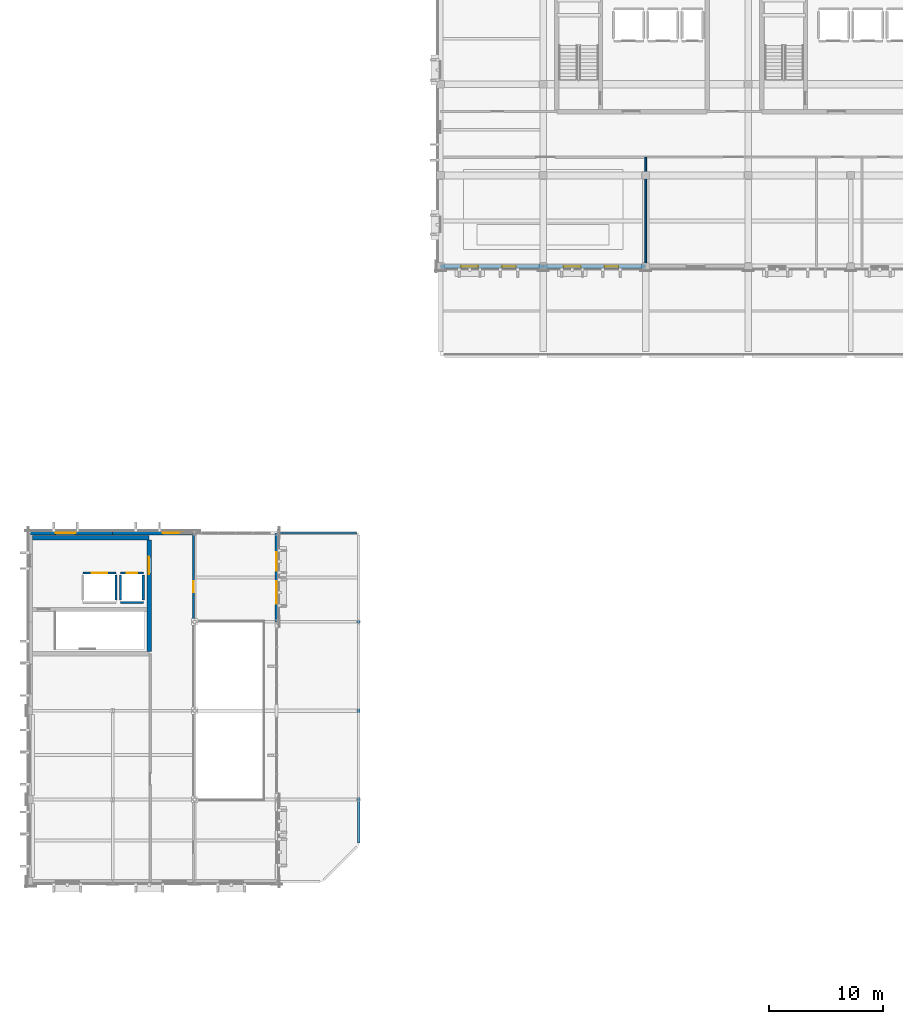
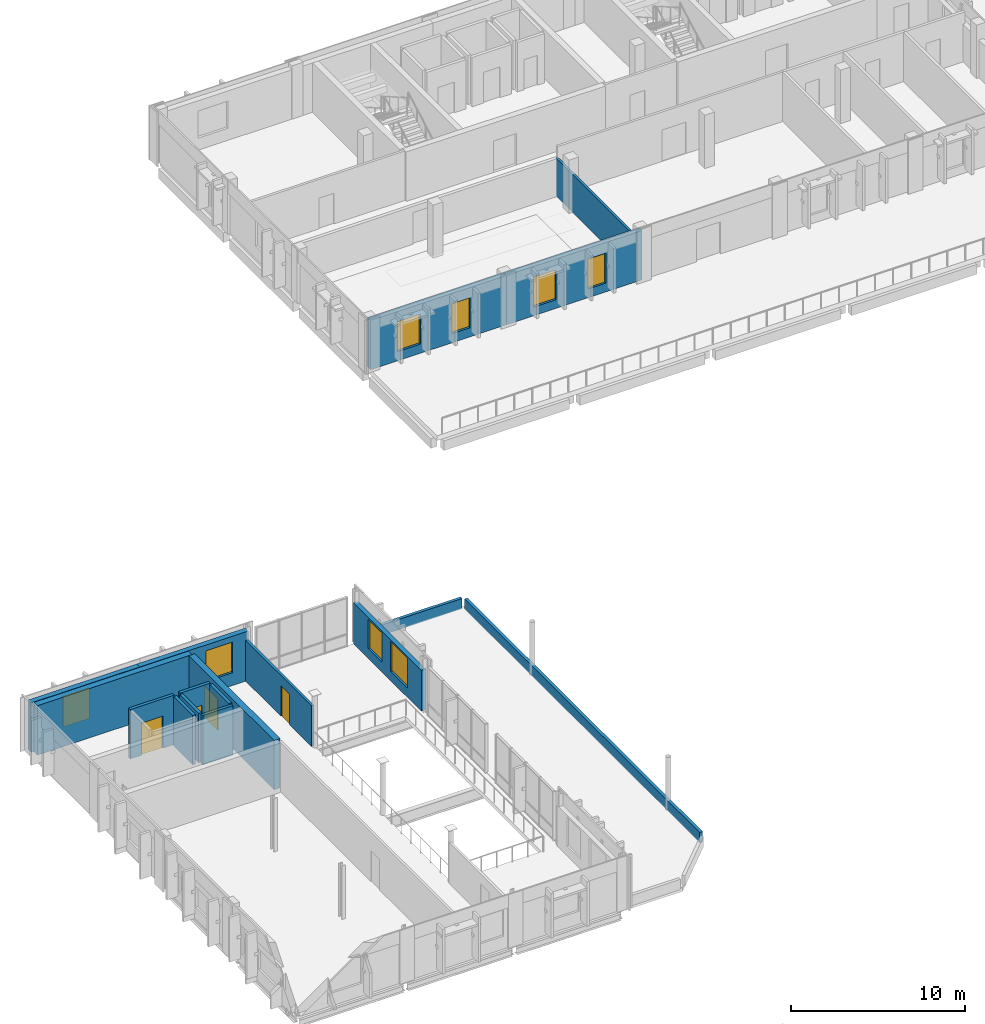
# One storey, part 11 of 23: 17 walls, 8 windows, 4 doors, 12 openings.
"""IFC4 building model written with IfcOpenShell, lengths in metres."""

import ifcopenshell
import ifcopenshell.guid

model = None  # the IFC model being written
_history = None  # IfcOwnerHistory: only IFC2X3 demands one
_inside = {}  # id of a spatial element -> (the spatial element, [elements in it])
_under = {}  # id of a project, library or spatial element -> (it, [spatial elements below it])
_declared = {}  # id of a project -> (the project, [libraries it declares])
_typed = {}  # id of a type object -> (the type object, [elements of that type])
_made_of = {}  # id of a material, layer set ... -> (it, [elements and type objects made of it])


def new_model(schema):
    """Start an empty IFC model of exactly this schema.

    Asked for "IFC4X3", IfcOpenShell would pick the latest addendum, in which some entities
    have other attributes; the version numbers below select the first issue.
    IFC2X3 requires an IfcOwnerHistory on every rooted entity: one is made here for all.
    """
    global model, _history
    if schema == "IFC4X3":
        model = ifcopenshell.file(schema_version=(4, 3, 0, 0))
    else:
        model = ifcopenshell.file(schema=schema)
    _inside.clear()
    _under.clear()
    _declared.clear()
    _typed.clear()
    _made_of.clear()
    _history = None
    if model.schema == "IFC2X3":
        org = make("IfcOrganization", Name="unknown")
        user = make(
            "IfcPersonAndOrganization",
            ThePerson=make("IfcPerson", FamilyName="unknown"),
            TheOrganization=org,
        )
        app = make(
            "IfcApplication",
            ApplicationDeveloper=org,
            Version="unknown",
            ApplicationFullName="unknown",
            ApplicationIdentifier="unknown",
        )
        _history = make(
            "IfcOwnerHistory",
            OwningUser=user,
            OwningApplication=app,
            ChangeAction="ADDED",
            CreationDate=0,
        )
    return model


def make(cls, **values):
    """One entity of the class cls with the attributes given. An attribute that is None is left unset."""
    return model.create_entity(
        cls, **{name: value for name, value in values.items() if value is not None}
    )


def rooted(cls, **values):
    """An entity with a GlobalId (a new one), such as an element, a storey or a relation."""
    return make(cls, GlobalId=ifcopenshell.guid.new(), OwnerHistory=_history, **values)


def si_unit(unit_type, name, prefix=None):
    """IfcSIUnit, for example si_unit("LENGTHUNIT", "METRE", prefix="MILLI")."""
    return make("IfcSIUnit", UnitType=unit_type, Prefix=prefix, Name=name)


def assignment(units):
    """IfcUnitAssignment: the units of a project."""
    return None if units is None else make("IfcUnitAssignment", Units=units)


def point(xyz):
    """IfcCartesianPoint."""
    return None if xyz is None else make("IfcCartesianPoint", Coordinates=xyz)


def direction(xyz):
    """IfcDirection."""
    return None if xyz is None else make("IfcDirection", DirectionRatios=xyz)


def frame(location, z_axis=None, x_axis=None):
    """IfcAxis2Placement3D, a coordinate frame: its origin and axes. An axis left out is left unset."""
    return make(
        "IfcAxis2Placement3D",
        Location=point(location),
        Axis=direction(z_axis),
        RefDirection=direction(x_axis),
    )


def frame_2d(location, x_axis=None):
    """IfcAxis2Placement2D, a coordinate frame in the plane: its origin and x axis."""
    return make(
        "IfcAxis2Placement2D", Location=point(location), RefDirection=direction(x_axis)
    )


def origin():
    """The frame at (0, 0, 0) with its axes left unset."""
    return frame((0.0, 0.0, 0.0))


def place(relative_to, where):
    """IfcLocalPlacement: puts the frame where relative to a parent placement (None: the world)."""
    return make(
        "IfcLocalPlacement", PlacementRelTo=relative_to, RelativePlacement=where
    )


def context(
    kind, dimensions, precision=None, world=None, true_north=None, identifier=None
):
    """IfcGeometricRepresentationContext, for example the 3D "Model" context."""
    return make(
        "IfcGeometricRepresentationContext",
        ContextIdentifier=identifier,
        ContextType=kind,
        CoordinateSpaceDimension=dimensions,
        Precision=precision,
        WorldCoordinateSystem=world,
        TrueNorth=true_north,
    )


def subcontext(parent, identifier, kind, view, scale=None):
    """IfcGeometricRepresentationSubContext, for example "Body" below "Model"."""
    return make(
        "IfcGeometricRepresentationSubContext",
        ContextIdentifier=identifier,
        ContextType=kind,
        ParentContext=parent,
        TargetScale=scale,
        TargetView=view,
    )


def project(units=None, contexts=None):
    """IfcProject with its units and contexts."""
    return rooted(
        "IfcProject",
        Name="project",
        RepresentationContexts=contexts,
        UnitsInContext=assignment(units),
    )


def spatial(cls, under=None, at=None, **own):
    """A site, building, storey or space (cls), placed at a placement, below another one or the project."""
    s = rooted(cls, ObjectPlacement=at, **own)
    if under is not None:
        _under.setdefault(under.id(), (under, []))[1].append(s)
    return s


def profile(cls, at=None, kind="AREA", **sizes):
    """A parametric profile (cls). Its sizes go by their IFC names, for example OverallWidth=200.0."""
    return make(cls, ProfileType=kind, Position=at, **sizes)


def rectangle(**sizes):
    """IfcRectangleProfileDef."""
    return profile("IfcRectangleProfileDef", **sizes)


def extrude(swept, where, along, depth):
    """IfcExtrudedAreaSolid: the profile swept, set in the frame where, extruded along a direction by depth."""
    return make(
        "IfcExtrudedAreaSolid",
        SweptArea=swept,
        Position=where,
        ExtrudedDirection=direction(along),
        Depth=depth,
    )


def shape(context_of_items, identifier, shape_type, items):
    """IfcShapeRepresentation: the items that make up one representation, for example the "Body"."""
    return make(
        "IfcShapeRepresentation",
        ContextOfItems=context_of_items,
        RepresentationIdentifier=identifier,
        RepresentationType=shape_type,
        Items=items,
    )


def material(Name=None, Category=None):
    """IfcMaterial."""
    return make("IfcMaterial", Name=Name, Category=Category)


def layer(
    of_material, thickness, ventilated=None, Name=None, Category=None, Priority=None
):
    """IfcMaterialLayer: one layer of a wall or slab, of a material (None: an air gap)."""
    return make(
        "IfcMaterialLayer",
        Material=of_material,
        LayerThickness=thickness,
        IsVentilated=ventilated,
        Name=Name,
        Category=Category,
        Priority=Priority,
    )


def layer_set(layers, Name=None):
    """IfcMaterialLayerSet."""
    return make("IfcMaterialLayerSet", MaterialLayers=layers, LayerSetName=Name)


def made_of(thing, what):
    """Note that an element or type object is made of a material, layer set ...; save() writes the relation."""
    if what is not None:
        _made_of.setdefault(what.id(), (what, []))[1].append(thing)
    return thing


def type_object(cls, material=None, **own):
    """A type object (cls), such as IfcWallType, which elements share."""
    return made_of(rooted(cls, **own), material)


def element(
    cls,
    number,
    at=None,
    inside=None,
    cuts=None,
    type_object=None,
    material=None,
    context=None,
    identifier="Body",
    shape_type=None,
    held_by="IfcProductDefinitionShape",
    body=None,
    shapes=None,
    **own,
):
    """One element of the class cls, such as IfcWall. Its Tag is "e" and its number.

    at: its placement. inside: the storey or other place that contains it. cuts: it is an
    opening in that element (IfcRelVoidsElement). A single representation is given by context,
    identifier, shape_type and body (its items); several are given by shapes. held_by: the class
    of the entity that holds the representations. save() writes the other relations.
    """
    e = rooted(cls, Tag="e%d" % number, ObjectPlacement=at, **own)
    if body is not None:
        shapes = [shape(context, identifier, shape_type, body)]
    if shapes is not None:
        e.Representation = make(held_by, Representations=shapes)
    if inside is not None:
        _inside.setdefault(inside.id(), (inside, []))[1].append(e)
    if cuts is not None:
        rooted(
            "IfcRelVoidsElement", RelatingBuildingElement=cuts, RelatedOpeningElement=e
        )
    if type_object is not None:
        _typed.setdefault(type_object.id(), (type_object, []))[1].append(e)
    return made_of(e, material)


def fill(opening, filler):
    """IfcRelFillsElement: the door or window that sits in an opening."""
    return rooted(
        "IfcRelFillsElement",
        RelatingOpeningElement=opening,
        RelatedBuildingElement=filler,
    )


def aggregate(whole, parts):
    """IfcRelAggregates: a whole, such as a stair, and the parts it consists of."""
    return rooted("IfcRelAggregates", RelatingObject=whole, RelatedObjects=parts)


def save(model, path):
    """Write the relations noted so far, then the file.

    IfcRelAggregates (storeys below a building ...), IfcRelContainedInSpatialStructure (elements
    in a storey), IfcRelDefinesByType, IfcRelAssociatesMaterial and IfcRelDeclares: one each for
    every whole, place, type object, material and project.
    """
    for whole, parts in _under.values():
        aggregate(whole, parts)
    for where, things in _inside.values():
        rooted(
            "IfcRelContainedInSpatialStructure",
            RelatedElements=things,
            RelatingStructure=where,
        )
    for kind, things in _typed.values():
        rooted("IfcRelDefinesByType", RelatedObjects=things, RelatingType=kind)
    for what, things in _made_of.values():
        rooted("IfcRelAssociatesMaterial", RelatedObjects=things, RelatingMaterial=what)
    for by, libraries in _declared.values():
        rooted("IfcRelDeclares", RelatingContext=by, RelatedDefinitions=libraries)
    model.write(path)


model = new_model("IFC4")

# Units and contexts
model_context = context("Model", 3, precision=1e-05, world=origin(), true_north=direction((0.0, 1.0)))
body_context = subcontext(model_context, "Body", "Model", "MODEL_VIEW")
ifc_project = project(units=[si_unit("LENGTHUNIT", "METRE"), si_unit("AREAUNIT", "SQUARE_METRE"), si_unit("VOLUMEUNIT", "CUBIC_METRE"), si_unit("PLANEANGLEUNIT", "RADIAN"), si_unit("MASSUNIT", "GRAM", prefix="KILO")], contexts=[model_context])

# Site, building, storey
site_placement = place(None, origin())
site = spatial("IfcSite", under=ifc_project, at=site_placement, CompositionType="ELEMENT")
building_placement = place(site_placement, origin())
building = spatial("IfcBuilding", under=site, at=building_placement, Name="Vervanel Yard Central Library", CompositionType="ELEMENT")
storey_placement = place(building_placement, frame((0.0, 0.0, 16.52001953125)))
storey = spatial("IfcBuildingStorey", under=building, at=storey_placement, Name="L04", CompositionType="ELEMENT", Elevation=16.52001953125)

# Wall, opening, door
ifc_material_1 = material(Name="Fire-rated gypsum board on steel studs", Category="steel")
ifc_layer_1 = layer(ifc_material_1, 0.159912109375, Category="steel")
ifc_layer_set_1 = layer_set([ifc_layer_1], Name="Fire-rated gypsum board on steel studs")
wall_type_1 = type_object("IfcWallType", Name="Acoustic Glazed Partition 160", PredefinedType="PARTITIONING", material=ifc_layer_set_1)
wall_1_placement = place(storey_placement, frame((14.300048828125, 58.8798828125, 0.0), z_axis=(0.0, 0.0, 1.0), x_axis=(0.0, 1.0, 0.0)))
wall_1 = element("IfcWall", 1, at=wall_1_placement, inside=storey, type_object=wall_type_1, Name="L04 Acoustic Glazed Partition 160 IPART-L04-0121", PredefinedType="PARTITIONING", context=body_context, shape_type="SweptSolid", body=[
    extrude(rectangle(XDim=7.72021484375, YDim=0.159912109375, at=frame_2d((3.860107421875, 0.0))), origin(), (0.0, 0.0, 1.0), 2.86279296875),
])
opening_1_placement = place(wall_1_placement, frame((2.5, 0.0, 0.0)))
opening_1 = element("IfcOpeningElement", 2, at=opening_1_placement, cuts=wall_1, Name="Opening DR-01", PredefinedType="OPENING", context=body_context, shape_type="SweptSolid", body=[
    extrude(rectangle(XDim=1.0, YDim=2.14990234375, at=frame_2d((0.5, 1.074951171875))), frame((0.0, 0.08984375, 0.0), z_axis=(0.0, -1.0, 0.0), x_axis=(1.0, 0.0, 0.0)), (0.0, 0.0, 1.0), 0.179931640625),
])
ifc_material_2 = material(Name="Solid white oak acoustic joinery", Category="wood")
door_type_1 = type_object("IfcDoorType", Name="Interior Single Door 1000x2150", OperationType="NOTDEFINED", PredefinedType="DOOR", material=ifc_material_2)
door_1_placement = place(opening_1_placement, origin())
door_1 = element("IfcDoor", 3, at=door_1_placement, inside=storey, type_object=door_type_1, Name="L04 Interior Single Door 1000x2150 IDOOR-L04-0094", OperationType="SINGLE_SWING_RIGHT", OverallHeight=2.14990234375, OverallWidth=1.0, PredefinedType="DOOR", context=body_context, shape_type="SweptSolid", body=[
    extrude(rectangle(XDim=1.0, YDim=2.14990234375, at=frame_2d((0.5, 1.074951171875))), frame((0.0, 0.02490234375, 0.0), z_axis=(0.0, -1.0, 0.0), x_axis=(1.0, 0.0, 0.0)), (0.0, 0.0, 1.0), 0.050048828125),
])
fill(opening_1, door_1)

# Wall, openings, windows
ifc_material_3 = material(Name="Precast concrete C45/55", Category="concrete")
ifc_layer_2 = layer(ifc_material_3, 0.300048828125, Category="concrete")
ifc_layer_set_2 = layer_set([ifc_layer_2], Name="Precast concrete C45/55")
wall_type_2 = type_object("IfcWallType", Name="Bush-Hammered Precast Cladding Wall 300", PredefinedType="SOLIDWALL", material=ifc_layer_set_2)
wall_2_placement = place(storey_placement, frame((21.60009765625, 58.800048828125, 0.0), z_axis=(0.0, 0.0, 1.0), x_axis=(0.0, 1.0, 0.0)))
wall_2 = element("IfcWall", 4, at=wall_2_placement, inside=storey, type_object=wall_type_2, Name="L04 Bush-Hammered Precast Cladding Wall 300 EWALL-L04-0147", PredefinedType="SOLIDWALL", context=body_context, shape_type="SweptSolid", body=[
    extrude(rectangle(XDim=7.800048828125, YDim=0.300048828125, at=frame_2d((3.89990234375, 0.0))), origin(), (0.0, 0.0, 1.0), 2.86279296875),
])
opening_2_placement = place(wall_2_placement, frame((1.60009765625, 0.0, 0.64306640625)))
opening_2 = element("IfcOpeningElement", 5, at=opening_2_placement, cuts=wall_2, Name="Opening WN-24", PredefinedType="OPENING", context=body_context, shape_type="SweptSolid", body=[
    extrude(rectangle(XDim=1.949951171875, YDim=2.10009765625, at=frame_2d((0.97509765625, 1.050048828125))), frame((0.0, 0.159912109375, 0.0), z_axis=(0.0, -1.0, 0.0), x_axis=(1.0, 0.0, 0.0)), (0.0, 0.0, 1.0), 0.320068359375),
])
opening_3_placement = place(wall_2_placement, frame((4.5, 0.0, 0.693115234375)))
opening_3 = element("IfcOpeningElement", 6, at=opening_3_placement, cuts=wall_2, Name="Opening WN-20", PredefinedType="OPENING", context=body_context, shape_type="SweptSolid", body=[
    extrude(rectangle(XDim=1.60009765625, YDim=2.050048828125, at=frame_2d((0.800048828125, 1.02490234375))), frame((0.0, 0.159912109375, 0.0), z_axis=(0.0, -1.0, 0.0), x_axis=(1.0, 0.0, 0.0)), (0.0, 0.0, 1.0), 0.320068359375),
])
ifc_material_4 = material(Name="Double low-E laminated solar-control glass", Category="glass")
window_type_1 = type_object("IfcWindowType", Name="Atrium Study Window 1950x2100", PartitioningType="SINGLE_PANEL", PredefinedType="WINDOW", material=ifc_material_4)
window_1_placement = place(opening_2_placement, origin())
window_1 = element("IfcWindow", 7, at=window_1_placement, inside=storey, type_object=window_type_1, Name="L04 Atrium Study Window 1950x2100 198", OverallHeight=2.10009765625, OverallWidth=1.949951171875, PartitioningType="SINGLE_PANEL", PredefinedType="WINDOW", context=body_context, shape_type="SweptSolid", body=[
    extrude(rectangle(XDim=1.949951171875, YDim=2.10009765625, at=frame_2d((0.97509765625, 1.050048828125))), frame((0.0, 0.030029296875, 0.0), z_axis=(0.0, -1.0, 0.0), x_axis=(1.0, 0.0, 0.0)), (0.0, 0.0, 1.0), 0.06005859375),
])
fill(opening_2, window_1)
window_type_2 = type_object("IfcWindowType", Name="Reading Courtyard Window 1600x2050", PartitioningType="SINGLE_PANEL", PredefinedType="WINDOW", material=ifc_material_4)
window_2_placement = place(opening_3_placement, origin())
window_2 = element("IfcWindow", 8, at=window_2_placement, inside=storey, type_object=window_type_2, Name="L04 Reading Courtyard Window 1600x2050 199", OverallHeight=2.050048828125, OverallWidth=1.60009765625, PartitioningType="SINGLE_PANEL", PredefinedType="WINDOW", context=body_context, shape_type="SweptSolid", body=[
    extrude(rectangle(XDim=1.60009765625, YDim=2.050048828125, at=frame_2d((0.800048828125, 1.02490234375))), frame((0.0, 0.030029296875, 0.0), z_axis=(0.0, -1.0, 0.0), x_axis=(1.0, 0.0, 0.0)), (0.0, 0.0, 1.0), 0.06005859375),
])
fill(opening_3, window_2)

# Wall
ifc_material_5 = material(Name="Concrete C45/55", Category="concrete")
ifc_layer_3 = layer(ifc_material_5, 0.39990234375, Category="concrete")
ifc_layer_set_3 = layer_set([ifc_layer_3], Name="Concrete C45/55")
wall_type_3 = type_object("IfcWallType", Name="Core Primary Shear Wall 400", PredefinedType="SHEAR", material=ifc_layer_set_3)
wall_3_placement = place(storey_placement, frame((0.169921875, 66.199951171875, 0.0), z_axis=(0.0, 0.0, 1.0), x_axis=(1.0, 0.0, 0.0)))
element("IfcWall", 9, at=wall_3_placement, inside=storey, type_object=wall_type_3, Name="L04 CORE-C Shear Wall N", PredefinedType="SHEAR", context=body_context, shape_type="SweptSolid", body=[
    extrude(rectangle(XDim=10.22998046875, YDim=0.39990234375, at=frame_2d((5.114990234375, 0.0))), origin(), (0.0, 0.0, 1.0), 3.4599609375),
])

# Wall, opening, door
wall_4_placement = place(storey_placement, frame((10.39990234375, 56.199951171875, 0.0), z_axis=(0.0, 0.0, 1.0), x_axis=(0.0, 1.0, 0.0)))
wall_4 = element("IfcWall", 10, at=wall_4_placement, inside=storey, type_object=wall_type_3, Name="L04 CORE-C Shear Wall E", PredefinedType="SHEAR", context=body_context, shape_type="SweptSolid", body=[
    extrude(rectangle(XDim=9.800048828125, YDim=0.39990234375, at=frame_2d((4.89990234375, 0.0))), origin(), (0.0, 0.0, 1.0), 3.4599609375),
])
opening_4_placement = place(wall_4_placement, frame((6.800048828125, 0.0, 0.0)))
opening_4 = element("IfcOpeningElement", 11, at=opening_4_placement, cuts=wall_4, Name="Opening DR-F02", PredefinedType="OPENING", context=body_context, shape_type="SweptSolid", body=[
    extrude(rectangle(XDim=1.5, YDim=2.199951171875, at=frame_2d((0.75, 1.10009765625))), frame((0.0, 0.2099609375, 0.0), z_axis=(0.0, -1.0, 0.0), x_axis=(1.0, 0.0, 0.0)), (0.0, 0.0, 1.0), 0.419921875),
])
ifc_material_6 = material(Name="Galvanized painted steelwork ASTM A500 Grade C", Category="steel")
door_type_2 = type_object("IfcDoorType", Name="Fire-Rated Lobby Door 1500x2200", OperationType="NOTDEFINED", PredefinedType="DOOR", material=ifc_material_6)
door_2_placement = place(opening_4_placement, origin())
door_2 = element("IfcDoor", 12, at=door_2_placement, inside=storey, type_object=door_type_2, Name="L04 CORE-C Lobby Fire Door", OperationType="DOUBLE_DOOR_SINGLE_SWING", OverallHeight=2.199951171875, OverallWidth=1.5, PredefinedType="DOOR", context=body_context, shape_type="SweptSolid", body=[
    extrude(rectangle(XDim=1.5, YDim=2.199951171875, at=frame_2d((0.75, 1.10009765625))), frame((0.0, 0.02490234375, 0.0), z_axis=(0.0, -1.0, 0.0), x_axis=(1.0, 0.0, 0.0)), (0.0, 0.0, 1.0), 0.050048828125),
])
fill(opening_4, door_2)

# Wall, openings, windows
ifc_layer_4 = layer(ifc_material_5, 0.340087890625, Category="concrete")
ifc_layer_set_4 = layer_set([ifc_layer_4], Name="Concrete C45/55")
wall_type_4 = type_object("IfcWallType", Name="Exterior Bearing Concrete Frame Wall 340", PredefinedType="SOLIDWALL", material=ifc_layer_set_4)
wall_5_placement = place(storey_placement, frame((36.0, 90.0, 0.0), z_axis=(0.0, 0.0, 1.0), x_axis=(1.0, 0.0, 0.0)))
wall_5 = element("IfcWall", 13, at=wall_5_placement, inside=storey, type_object=wall_type_4, Name="L04 Exterior Bearing Concrete Frame Wall 340 EWALL-L04-0065", PredefinedType="SOLIDWALL", context=body_context, shape_type="SweptSolid", body=[
    extrude(rectangle(XDim=9.0, YDim=0.340087890625, at=frame_2d((4.5, 0.0))), origin(), (0.0, 0.0, 1.0), 3.4599609375),
])
opening_5_placement = place(wall_5_placement, frame((1.800048828125, 0.0, 0.64501953125)))
opening_5 = element("IfcOpeningElement", 14, at=opening_5_placement, cuts=wall_5, Name="Opening WN-02", PredefinedType="OPENING", context=body_context, shape_type="SweptSolid", body=[
    extrude(rectangle(XDim=1.5, YDim=2.10009765625, at=frame_2d((0.75, 1.050048828125))), frame((0.0, 0.179931640625, 0.0), z_axis=(0.0, -1.0, 0.0), x_axis=(1.0, 0.0, 0.0)), (0.0, 0.0, 1.0), 0.360107421875),
])
opening_6_placement = place(wall_5_placement, frame((5.39990234375, 0.0, 0.64501953125)))
opening_6 = element("IfcOpeningElement", 15, at=opening_6_placement, cuts=wall_5, Name="Opening WN-01", PredefinedType="OPENING", context=body_context, shape_type="SweptSolid", body=[
    extrude(rectangle(XDim=1.199951171875, YDim=2.10009765625, at=frame_2d((0.60009765625, 1.050048828125))), frame((0.0, 0.179931640625, 0.0), z_axis=(0.0, -1.0, 0.0), x_axis=(1.0, 0.0, 0.0)), (0.0, 0.0, 1.0), 0.360107421875),
])
window_type_3 = type_object("IfcWindowType", Name="Reading Bay Window 1500x2100", PartitioningType="SINGLE_PANEL", PredefinedType="WINDOW", material=ifc_material_4)
window_3_placement = place(opening_5_placement, origin())
window_3 = element("IfcWindow", 16, at=window_3_placement, inside=storey, type_object=window_type_3, Name="L04 Reading Bay Window 1500x2100 87", OverallHeight=2.10009765625, OverallWidth=1.5, PartitioningType="SINGLE_PANEL", PredefinedType="WINDOW", context=body_context, shape_type="SweptSolid", body=[
    extrude(rectangle(XDim=1.5, YDim=2.10009765625, at=frame_2d((0.75, 1.050048828125))), frame((0.0, 0.030029296875, 0.0), z_axis=(0.0, -1.0, 0.0), x_axis=(1.0, 0.0, 0.0)), (0.0, 0.0, 1.0), 0.06005859375),
])
fill(opening_5, window_3)
window_type_4 = type_object("IfcWindowType", Name="Reading Slot Window 1200x2100", PartitioningType="SINGLE_PANEL", PredefinedType="WINDOW", material=ifc_material_4)
window_4_placement = place(opening_6_placement, origin())
window_4 = element("IfcWindow", 17, at=window_4_placement, inside=storey, type_object=window_type_4, Name="L04 Reading Slot Window 1200x2100 88", OverallHeight=2.10009765625, OverallWidth=1.199951171875, PartitioningType="SINGLE_PANEL", PredefinedType="WINDOW", context=body_context, shape_type="SweptSolid", body=[
    extrude(rectangle(XDim=1.199951171875, YDim=2.10009765625, at=frame_2d((0.60009765625, 1.050048828125))), frame((0.0, 0.030029296875, 0.0), z_axis=(0.0, -1.0, 0.0), x_axis=(1.0, 0.0, 0.0)), (0.0, 0.0, 1.0), 0.06005859375),
])
fill(opening_6, window_4)

wall_6_placement = place(storey_placement, frame((45.0, 90.0, 0.0), z_axis=(0.0, 0.0, 1.0), x_axis=(1.0, 0.0, 0.0)))
wall_6 = element("IfcWall", 18, at=wall_6_placement, inside=storey, type_object=wall_type_4, Name="L04 Exterior Bearing Concrete Frame Wall 340 EWALL-L04-0066", PredefinedType="SOLIDWALL", context=body_context, shape_type="SweptSolid", body=[
    extrude(rectangle(XDim=9.0, YDim=0.340087890625, at=frame_2d((4.5, 0.0))), origin(), (0.0, 0.0, 1.0), 3.4599609375),
])
opening_7_placement = place(wall_6_placement, frame((1.800048828125, 0.0, 0.610107421875)))
opening_7 = element("IfcOpeningElement", 19, at=opening_7_placement, cuts=wall_6, Name="Opening WN-02", PredefinedType="OPENING", context=body_context, shape_type="SweptSolid", body=[
    extrude(rectangle(XDim=1.5, YDim=2.10009765625, at=frame_2d((0.75, 1.050048828125))), frame((0.0, 0.179931640625, 0.0), z_axis=(0.0, -1.0, 0.0), x_axis=(1.0, 0.0, 0.0)), (0.0, 0.0, 1.0), 0.360107421875),
])
opening_8_placement = place(wall_6_placement, frame((5.39990234375, 0.0, 0.610107421875)))
opening_8 = element("IfcOpeningElement", 20, at=opening_8_placement, cuts=wall_6, Name="Opening WN-01", PredefinedType="OPENING", context=body_context, shape_type="SweptSolid", body=[
    extrude(rectangle(XDim=1.199951171875, YDim=2.10009765625, at=frame_2d((0.60009765625, 1.050048828125))), frame((0.0, 0.179931640625, 0.0), z_axis=(0.0, -1.0, 0.0), x_axis=(1.0, 0.0, 0.0)), (0.0, 0.0, 1.0), 0.360107421875),
])
window_5_placement = place(opening_7_placement, origin())
window_5 = element("IfcWindow", 21, at=window_5_placement, inside=storey, type_object=window_type_3, Name="L04 Reading Bay Window 1500x2100 89", OverallHeight=2.10009765625, OverallWidth=1.5, PartitioningType="SINGLE_PANEL", PredefinedType="WINDOW", context=body_context, shape_type="SweptSolid", body=[
    extrude(rectangle(XDim=1.5, YDim=2.10009765625, at=frame_2d((0.75, 1.050048828125))), frame((0.0, 0.030029296875, 0.0), z_axis=(0.0, -1.0, 0.0), x_axis=(1.0, 0.0, 0.0)), (0.0, 0.0, 1.0), 0.06005859375),
])
fill(opening_7, window_5)
window_6_placement = place(opening_8_placement, origin())
window_6 = element("IfcWindow", 22, at=window_6_placement, inside=storey, type_object=window_type_4, Name="L04 Reading Slot Window 1200x2100 90", OverallHeight=2.10009765625, OverallWidth=1.199951171875, PartitioningType="SINGLE_PANEL", PredefinedType="WINDOW", context=body_context, shape_type="SweptSolid", body=[
    extrude(rectangle(XDim=1.199951171875, YDim=2.10009765625, at=frame_2d((0.60009765625, 1.050048828125))), frame((0.0, 0.030029296875, 0.0), z_axis=(0.0, -1.0, 0.0), x_axis=(1.0, 0.0, 0.0)), (0.0, 0.0, 1.0), 0.06005859375),
])
fill(opening_8, window_6)

# Wall, opening, window
wall_7_placement = place(storey_placement, frame((0.0, 66.60009765625, 0.0), z_axis=(0.0, 0.0, 1.0), x_axis=(1.0, 0.0, 0.0)))
wall_7 = element("IfcWall", 23, at=wall_7_placement, inside=storey, type_object=wall_type_4, Name="L04 Exterior Bearing Concrete Frame Wall 340 EWALL-L04-0148", PredefinedType="SOLIDWALL", context=body_context, shape_type="SweptSolid", body=[
    extrude(rectangle(XDim=7.199951171875, YDim=0.340087890625, at=frame_2d((3.60009765625, 0.0))), origin(), (0.0, 0.0, 1.0), 3.4599609375),
])
opening_9_placement = place(wall_7_placement, frame((2.199951171875, 0.0, 0.89990234375)))
opening_9 = element("IfcOpeningElement", 24, at=opening_9_placement, cuts=wall_7, Name="Opening WN-23", PredefinedType="OPENING", context=body_context, shape_type="SweptSolid", body=[
    extrude(rectangle(XDim=1.75, YDim=2.14990234375, at=frame_2d((0.875, 1.074951171875))), frame((0.0, 0.179931640625, 0.0), z_axis=(0.0, -1.0, 0.0), x_axis=(1.0, 0.0, 0.0)), (0.0, 0.0, 1.0), 0.360107421875),
])
window_type_5 = type_object("IfcWindowType", Name="Atrium Northlight Window 1750x2150", PartitioningType="SINGLE_PANEL", PredefinedType="WINDOW", material=ifc_material_4)
window_7_placement = place(opening_9_placement, origin())
window_7 = element("IfcWindow", 25, at=window_7_placement, inside=storey, type_object=window_type_5, Name="L04 Atrium Northlight Window 1750x2150 200", OverallHeight=2.14990234375, OverallWidth=1.75, PartitioningType="SINGLE_PANEL", PredefinedType="WINDOW", context=body_context, shape_type="SweptSolid", body=[
    extrude(rectangle(XDim=1.75, YDim=2.14990234375, at=frame_2d((0.875, 1.074951171875))), frame((0.0, 0.030029296875, 0.0), z_axis=(0.0, -1.0, 0.0), x_axis=(1.0, 0.0, 0.0)), (0.0, 0.0, 1.0), 0.06005859375),
])
fill(opening_9, window_7)

wall_8_placement = place(storey_placement, frame((7.199951171875, 66.60009765625, 0.0), z_axis=(0.0, 0.0, 1.0), x_axis=(1.0, 0.0, 0.0)))
wall_8 = element("IfcWall", 26, at=wall_8_placement, inside=storey, type_object=wall_type_4, Name="L04 Exterior Bearing Concrete Frame Wall 340 EWALL-L04-0150", PredefinedType="SOLIDWALL", context=body_context, shape_type="SweptSolid", body=[
    extrude(rectangle(XDim=7.199951171875, YDim=0.340087890625, at=frame_2d((3.60009765625, 0.0))), origin(), (0.0, 0.0, 1.0), 3.4599609375),
])
opening_10_placement = place(wall_8_placement, frame((4.39990234375, 0.0, 0.89990234375)))
opening_10 = element("IfcOpeningElement", 27, at=opening_10_placement, cuts=wall_8, Name="Opening WN-23", PredefinedType="OPENING", context=body_context, shape_type="SweptSolid", body=[
    extrude(rectangle(XDim=1.75, YDim=2.14990234375, at=frame_2d((0.875, 1.074951171875))), frame((0.0, 0.179931640625, 0.0), z_axis=(0.0, -1.0, 0.0), x_axis=(1.0, 0.0, 0.0)), (0.0, 0.0, 1.0), 0.360107421875),
])
window_8_placement = place(opening_10_placement, origin())
window_8 = element("IfcWindow", 28, at=window_8_placement, inside=storey, type_object=window_type_5, Name="L04 Atrium Northlight Window 1750x2150 202", OverallHeight=2.14990234375, OverallWidth=1.75, PartitioningType="SINGLE_PANEL", PredefinedType="WINDOW", context=body_context, shape_type="SweptSolid", body=[
    extrude(rectangle(XDim=1.75, YDim=2.14990234375, at=frame_2d((0.875, 1.074951171875))), frame((0.0, 0.030029296875, 0.0), z_axis=(0.0, -1.0, 0.0), x_axis=(1.0, 0.0, 0.0)), (0.0, 0.0, 1.0), 0.06005859375),
])
fill(opening_10, window_8)

# Walls
ifc_layer_5 = layer(ifc_material_1, 0.14990234375, Category="steel")
ifc_layer_set_5 = layer_set([ifc_layer_5], Name="Fire-rated gypsum board on steel studs")
wall_type_5 = type_object("IfcWallType", Name="Interior Partition 150", PredefinedType="PARTITIONING", material=ifc_layer_set_5)
wall_9_placement = place(storey_placement, frame((54.0, 90.0, 0.0), z_axis=(0.0, 0.0, 1.0), x_axis=(0.0, 1.0, 0.0)))
element("IfcWall", 29, at=wall_9_placement, inside=storey, type_object=wall_type_5, Name="L04 Interior Partition 150 IPART-L04-0110", PredefinedType="PARTITIONING", context=body_context, shape_type="SweptSolid", body=[
    extrude(rectangle(XDim=9.60009765625, YDim=0.14990234375, at=frame_2d((4.800048828125, 0.0))), origin(), (0.0, 0.0, 1.0), 2.64990234375),
])
ifc_material_7 = material(Name="Concrete C40/50", Category="concrete")
ifc_layer_6 = layer(ifc_material_7, 0.199951171875, Category="concrete")
ifc_layer_set_6 = layer_set([ifc_layer_6], Name="Concrete C40/50")
wall_type_6 = type_object("IfcWallType", Name="Setback Roof Concrete Parapet 200", PredefinedType="PARAPET", material=ifc_layer_set_6)
wall_10_placement = place(storey_placement, frame((28.800048828125, 39.39990234375, 0.0), z_axis=(0.0, 0.0, 1.0), x_axis=(0.0, 1.0, 0.0)))
element("IfcWall", 30, at=wall_10_placement, inside=storey, type_object=wall_type_6, Name="L04 Roof Parapet 25", PredefinedType="PARAPET", context=body_context, shape_type="SweptSolid", body=[
    extrude(rectangle(XDim=27.0, YDim=0.199951171875, at=frame_2d((13.5, 0.0))), origin(), (0.0, 0.0, 1.0), 0.719970703125),
])
wall_11_placement = place(storey_placement, frame((28.60009765625, 66.60009765625, 0.0), z_axis=(0.0, 0.0, 1.0), x_axis=(-1.0, 0.0, 0.0)))
element("IfcWall", 31, at=wall_11_placement, inside=storey, type_object=wall_type_6, Name="L04 Roof Parapet 26", PredefinedType="PARAPET", context=body_context, shape_type="SweptSolid", body=[
    extrude(rectangle(XDim=6.800048828125, YDim=0.199951171875, at=frame_2d((3.39990234375, 0.0))), origin(), (0.0, 0.0, 1.0), 0.719970703125),
])

# Wall, opening, door
ifc_layer_7 = layer(ifc_material_7, 0.199951171875, Category="concrete")
ifc_layer_set_7 = layer_set([ifc_layer_7], Name="Concrete C40/50")
wall_type_7 = type_object("IfcWallType", Name="Shaft & Plant Rated Wall 200", PredefinedType="PARTITIONING", material=ifc_layer_set_7)
wall_12_placement = place(storey_placement, frame((4.60009765625, 63.10009765625, 0.0), z_axis=(0.0, 0.0, 1.0), x_axis=(1.0, 0.0, 0.0)))
wall_12 = element("IfcWall", 32, at=wall_12_placement, inside=storey, type_object=wall_type_7, Name="L04 CORE-C-L04-EL-06 Shaft Wall N", PredefinedType="PARTITIONING", context=body_context, shape_type="SweptSolid", body=[
    extrude(rectangle(XDim=2.89990234375, YDim=0.199951171875, at=frame_2d((1.449951171875, 0.0))), origin(), (0.0, 0.0, 1.0), 3.4599609375),
])
opening_11_placement = place(wall_12_placement, frame((0.75, 0.0, 0.0)))
opening_11 = element("IfcOpeningElement", 33, at=opening_11_placement, cuts=wall_12, Name="Opening LD-02", PredefinedType="OPENING", context=body_context, shape_type="SweptSolid", body=[
    extrude(rectangle(XDim=1.39990234375, YDim=2.25, at=frame_2d((0.699951171875, 1.125))), frame((0.0, 0.10986328125, 0.0), z_axis=(0.0, -1.0, 0.0), x_axis=(1.0, 0.0, 0.0)), (0.0, 0.0, 1.0), 0.219970703125),
])
ifc_material_8 = material(Name="Brushed stainless steel AISI 316", Category="steel")
door_type_3 = type_object("IfcDoorType", Name="Collections Freight Lift Sliding Door 1400x2250", OperationType="NOTDEFINED", PredefinedType="DOOR", material=ifc_material_8)
door_3_placement = place(opening_11_placement, origin())
door_3 = element("IfcDoor", 34, at=door_3_placement, inside=storey, type_object=door_type_3, Name="L04 Lift EL-06 Landing Door", OperationType="SLIDING_TO_LEFT", OverallHeight=2.25, OverallWidth=1.39990234375, PredefinedType="DOOR", context=body_context, shape_type="SweptSolid", body=[
    extrude(rectangle(XDim=1.39990234375, YDim=2.25, at=frame_2d((0.699951171875, 1.125))), frame((0.0, 0.02490234375, 0.0), z_axis=(0.0, -1.0, 0.0), x_axis=(1.0, 0.0, 0.0)), (0.0, 0.0, 1.0), 0.050048828125),
])
fill(opening_11, door_3)

# Walls
wall_13_placement = place(storey_placement, frame((7.5, 60.699951171875, 0.0), z_axis=(0.0, 0.0, 1.0), x_axis=(0.0, 1.0, 0.0)))
element("IfcWall", 35, at=wall_13_placement, inside=storey, type_object=wall_type_7, Name="L04 CORE-C-L04-EL-06 Shaft Wall E", PredefinedType="PARTITIONING", context=body_context, shape_type="SweptSolid", body=[
    extrude(rectangle(XDim=2.199951171875, YDim=0.199951171875, at=frame_2d((1.10009765625, 0.0))), origin(), (0.0, 0.0, 1.0), 3.4599609375),
])
wall_14_placement = place(storey_placement, frame((7.89990234375, 60.5, 0.0), z_axis=(0.0, 0.0, 1.0), x_axis=(1.0, 0.0, 0.0)))
element("IfcWall", 36, at=wall_14_placement, inside=storey, type_object=wall_type_7, Name="L04 CORE-C-L04-RIS Shaft Wall S", PredefinedType="PARTITIONING", context=body_context, shape_type="SweptSolid", body=[
    extrude(rectangle(XDim=2.0, YDim=0.199951171875, at=frame_2d((1.0, 0.0))), origin(), (0.0, 0.0, 1.0), 3.4599609375),
])

# Wall, opening, door
wall_15_placement = place(storey_placement, frame((7.89990234375, 63.10009765625, 0.0), z_axis=(0.0, 0.0, 1.0), x_axis=(1.0, 0.0, 0.0)))
wall_15 = element("IfcWall", 37, at=wall_15_placement, inside=storey, type_object=wall_type_7, Name="L04 CORE-C-L04-RIS Shaft Wall N", PredefinedType="PARTITIONING", context=body_context, shape_type="SweptSolid", body=[
    extrude(rectangle(XDim=2.0, YDim=0.199951171875, at=frame_2d((1.0, 0.0))), origin(), (0.0, 0.0, 1.0), 3.4599609375),
])
opening_12_placement = place(wall_15_placement, frame((0.550048828125, 0.0, 0.0)))
opening_12 = element("IfcOpeningElement", 38, at=opening_12_placement, cuts=wall_15, Name="Opening DR-03", PredefinedType="OPENING", context=body_context, shape_type="SweptSolid", body=[
    extrude(rectangle(XDim=0.89990234375, YDim=2.10009765625, at=frame_2d((0.449951171875, 1.050048828125))), frame((0.0, 0.10986328125, 0.0), z_axis=(0.0, -1.0, 0.0), x_axis=(1.0, 0.0, 0.0)), (0.0, 0.0, 1.0), 0.219970703125),
])
door_type_4 = type_object("IfcDoorType", Name="Interior Riser Access Door 900x2100", OperationType="NOTDEFINED", PredefinedType="DOOR", material=ifc_material_6)
door_4_placement = place(opening_12_placement, origin())
door_4 = element("IfcDoor", 39, at=door_4_placement, inside=storey, type_object=door_type_4, Name="L04 CORE-C Riser Access Door", OperationType="SINGLE_SWING_LEFT", OverallHeight=2.10009765625, OverallWidth=0.89990234375, PredefinedType="DOOR", context=body_context, shape_type="SweptSolid", body=[
    extrude(rectangle(XDim=0.89990234375, YDim=2.10009765625, at=frame_2d((0.449951171875, 1.050048828125))), frame((0.0, 0.02490234375, 0.0), z_axis=(0.0, -1.0, 0.0), x_axis=(1.0, 0.0, 0.0)), (0.0, 0.0, 1.0), 0.050048828125),
])
fill(opening_12, door_4)

# Walls
for number, where, z_axis, x_axis, name in (
    (40, (7.89990234375, 60.699951171875, 0.0), (0.0, 0.0, 1.0), (0.0, 1.0, 0.0), "L04 CORE-C-L04-RIS Shaft Wall W"),
    (41, (9.89990234375, 60.699951171875, 0.0), (0.0, 0.0, 1.0), (0.0, 1.0, 0.0), "L04 CORE-C-L04-RIS Shaft Wall E"),
):
    element("IfcWall", number, at=place(storey_placement, frame(where, z_axis=z_axis, x_axis=x_axis)), inside=storey, type_object=wall_type_7, Name=name, PredefinedType="PARTITIONING", context=body_context, shape_type="SweptSolid", body=[
        extrude(rectangle(XDim=2.199951171875, YDim=0.199951171875, at=frame_2d((1.10009765625, 0.0))), origin(), (0.0, 0.0, 1.0), 3.4599609375),
    ])

save(model, "model.ifc")
